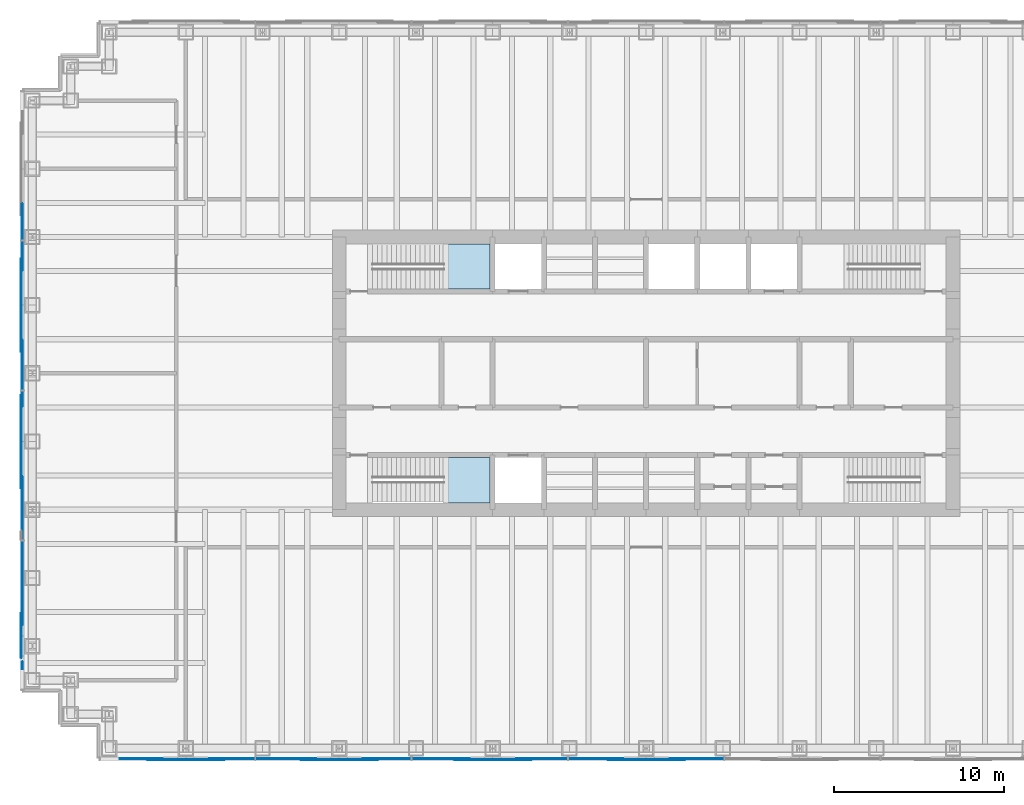
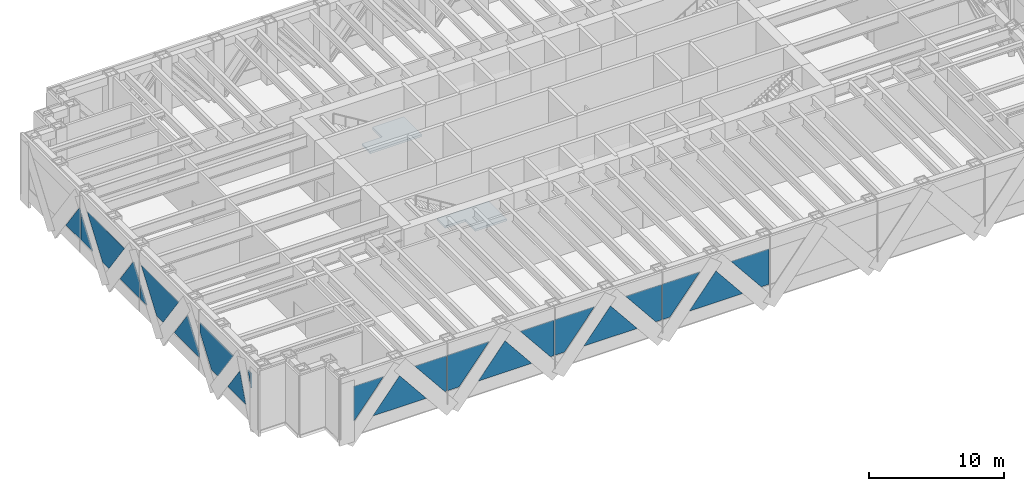
# One storey, part 9 of 17: 22 plates, 2 slabs, 4 elements without a shape of their own.
"""IFC4 building model written with IfcOpenShell, lengths in metres."""

from ifc_helpers import new_model, si_unit, direction, frame, origin, place, context, subcontext, project, spatial, polyline, outline, extrude, material, layer, layer_set, type_object, element, aggregate, save


model = new_model("IFC4")

# Units and contexts
model_context = context("Model", 3, precision=1e-05, world=origin(), true_north=direction((0.0, 1.0)))
body_context = subcontext(model_context, "Body", "Model", "MODEL_VIEW")
ifc_project = project(units=[si_unit("LENGTHUNIT", "METRE"), si_unit("AREAUNIT", "SQUARE_METRE"), si_unit("VOLUMEUNIT", "CUBIC_METRE"), si_unit("PLANEANGLEUNIT", "RADIAN"), si_unit("MASSUNIT", "GRAM", prefix="KILO")], contexts=[model_context])

# Site, building, storey
site_placement = place(None, origin())
site = spatial("IfcSite", under=ifc_project, at=site_placement, CompositionType="ELEMENT")
building_placement = place(site_placement, origin())
building = spatial("IfcBuilding", under=site, at=building_placement, Name="Rheinbord Bourse Tower", CompositionType="ELEMENT")
storey_placement = place(building_placement, frame((0.0, 0.0, 265.60009765625)))
storey = spatial("IfcBuildingStorey", under=building, at=storey_placement, Name="L60", CompositionType="ELEMENT", Elevation=265.60009765625)

# Curtain wall, plates
ifc_material_1 = material(Name="Dark glass and black aluminium", Category="aluminium")
curtain_wall_type = type_object("IfcCurtainWallType", Name="CW5 DARK GLASS CURTAIN WALL", PredefinedType="USERDEFINED", material=ifc_material_1)
curtain_wall_1_placement = place(storey_placement, origin())
curtain_wall_1 = element("IfcCurtainWall", 1, at=curtain_wall_1_placement, inside=storey, type_object=curtain_wall_type, Name="Curtain wall CW5 S L60", ObjectType="UNITISED CURTAIN WALL", PredefinedType="USERDEFINED")
ifc_material_2 = material(Name="Dark tinted triple insulating glass", Category="glass")
ifc_layer_1 = layer(ifc_material_2, 0.050048828125)
ifc_layer_set_1 = layer_set([ifc_layer_1], Name="CW5 DARK GLASS PANEL")
plate_type = type_object("IfcPlateType", Name="CW5 DARK GLASS PANEL", PredefinedType="CURTAIN_PANEL", material=ifc_layer_set_1)
plate_1_placement = place(storey_placement, frame((7.677001953125, 1.375, 4.349853515625), z_axis=(0.0, 1.0, 0.0), x_axis=(-0.627074346695, 0.0, -0.778959410828)))
plate_1 = element("IfcPlate", 2, at=plate_1_placement, type_object=plate_type, Name="CW5 glass facet 1", PredefinedType="CURTAIN_PANEL", context=body_context, shape_type="SweptSolid", body=[
    extrude(outline(polyline([(0.0, 0.0), (4.06201171875, 0.0), (1.59716796875, 1.984130859375), (0.0, 0.0)])), origin(), (0.0, 0.0, 1.0), 0.050048828125),
])
plate_2_placement = place(storey_placement, frame((6.717041015625, 1.31982421875, 1.14990234375), z_axis=(0.0, 1.0, 0.0), x_axis=(0.627071935426, 0.0, 0.778961351931)))
plate_2 = element("IfcPlate", 3, at=plate_2_placement, type_object=plate_type, Name="CW5 glass facet 2", PredefinedType="CURTAIN_PANEL", context=body_context, shape_type="SweptSolid", body=[
    extrude(outline(polyline([(0.0, 0.0), (3.640625, 0.0), (2.863037109375, 3.556640625), (0.0, 0.0)])), origin(), (0.0, 0.0, 1.0), 0.050048828125),
])
plate_3_placement = place(storey_placement, frame((13.031005859375, 1.375, 4.349853515625), z_axis=(0.0, 1.0, 0.0), x_axis=(0.0, 0.0, -1.0)))
plate_3 = element("IfcPlate", 4, at=plate_3_placement, type_object=plate_type, Name="CW5 glass facet 3", PredefinedType="CURTAIN_PANEL", context=body_context, shape_type="SweptSolid", body=[
    extrude(outline(polyline([(0.0, 0.0), (3.199951171875, 0.0), (3.199951171875, 0.132080078125), (0.0, 2.7080078125), (0.0, 0.0)])), origin(), (0.0, 0.0, 1.0), 0.050048828125),
])
plate_4_placement = place(storey_placement, frame((13.111083984375, 1.375, 1.14990234375), z_axis=(0.0, 1.0, 0.0), x_axis=(0.0, 0.0, 1.0)))
plate_4 = element("IfcPlate", 5, at=plate_4_placement, type_object=plate_type, Name="CW5 glass facet 1", PredefinedType="CURTAIN_PANEL", context=body_context, shape_type="SweptSolid", body=[
    extrude(outline(polyline([(0.0, 0.0), (3.199951171875, 0.0), (3.199951171875, 3.56591796875), (0.0, 0.989990234375), (0.0, 0.0)])), origin(), (0.0, 0.0, 1.0), 0.050048828125),
])
plate_5_placement = place(storey_placement, frame((15.717041015625, 1.31982421875, 1.14990234375), z_axis=(0.0, 1.0, 0.0), x_axis=(0.627071935426, 0.0, 0.778961351931)))
plate_5 = element("IfcPlate", 6, at=plate_5_placement, type_object=plate_type, Name="CW5 glass facet 2", PredefinedType="CURTAIN_PANEL", context=body_context, shape_type="SweptSolid", body=[
    extrude(outline(polyline([(0.0, 0.0), (3.640625, 0.0), (2.863037109375, 3.556640625), (0.0, 0.0)])), origin(), (0.0, 0.0, 1.0), 0.050048828125),
])
plate_6_placement = place(storey_placement, frame((22.202880859375, 1.375, 4.349853515625), z_axis=(0.0, 1.0, 0.0), x_axis=(0.0, 0.0, -1.0)))
plate_6 = element("IfcPlate", 7, at=plate_6_placement, type_object=plate_type, Name="CW5 glass facet 3", PredefinedType="CURTAIN_PANEL", context=body_context, shape_type="SweptSolid", body=[
    extrude(outline(polyline([(0.0, 0.0), (3.199951171875, 0.0), (3.199951171875, 0.303955078125), (0.0, 2.8798828125), (0.0, 0.0)])), origin(), (0.0, 0.0, 1.0), 0.050048828125),
])
plate_7_placement = place(storey_placement, frame((22.282958984375, 1.375, 1.14990234375), z_axis=(0.0, 1.0, 0.0), x_axis=(0.0, 0.0, 1.0)))
plate_7 = element("IfcPlate", 8, at=plate_7_placement, type_object=plate_type, Name="CW5 glass facet 1", PredefinedType="CURTAIN_PANEL", context=body_context, shape_type="SweptSolid", body=[
    extrude(outline(polyline([(0.0, 0.0), (3.199951171875, 0.0), (3.199951171875, 3.39404296875), (0.0, 0.818115234375), (0.0, 0.0)])), origin(), (0.0, 0.0, 1.0), 0.050048828125),
])
plate_8_placement = place(storey_placement, frame((24.717041015625, 1.31982421875, 1.14990234375), z_axis=(0.0, 1.0, 0.0), x_axis=(0.627071935426, 0.0, 0.778961351931)))
plate_8 = element("IfcPlate", 9, at=plate_8_placement, type_object=plate_type, Name="CW5 glass facet 2", PredefinedType="CURTAIN_PANEL", context=body_context, shape_type="SweptSolid", body=[
    extrude(outline(polyline([(0.0, 0.0), (3.640625, 0.0), (2.863037109375, 3.556640625), (0.0, 0.0)])), origin(), (0.0, 0.0, 1.0), 0.050048828125),
])
plate_9_placement = place(storey_placement, frame((31.3740234375, 1.375, 4.349853515625), z_axis=(0.0, 1.0, 0.0), x_axis=(0.0, 0.0, -1.0)))
plate_9 = element("IfcPlate", 10, at=plate_9_placement, type_object=plate_type, Name="CW5 glass facet 3", PredefinedType="CURTAIN_PANEL", context=body_context, shape_type="SweptSolid", body=[
    extrude(outline(polyline([(0.0, 0.0), (3.199951171875, 0.0), (3.199951171875, 0.47509765625), (0.0, 3.051025390625), (0.0, 0.0)])), origin(), (0.0, 0.0, 1.0), 0.050048828125),
])
plate_10_placement = place(storey_placement, frame((31.4541015625, 1.375, 1.14990234375), z_axis=(0.0, 1.0, 0.0), x_axis=(0.0, 0.0, 1.0)))
plate_10 = element("IfcPlate", 11, at=plate_10_placement, type_object=plate_type, Name="CW5 glass facet 1", PredefinedType="CURTAIN_PANEL", context=body_context, shape_type="SweptSolid", body=[
    extrude(outline(polyline([(0.0, 0.0), (3.199951171875, 0.0), (3.199951171875, 3.222900390625), (0.0, 0.64697265625), (0.0, 0.0)])), origin(), (0.0, 0.0, 1.0), 0.050048828125),
])
plate_11_placement = place(storey_placement, frame((33.717041015625, 1.31982421875, 1.14990234375), z_axis=(0.0, 1.0, 0.0), x_axis=(0.627071935426, 0.0, 0.778961351931)))
plate_11 = element("IfcPlate", 12, at=plate_11_placement, type_object=plate_type, Name="CW5 glass facet 2", PredefinedType="CURTAIN_PANEL", context=body_context, shape_type="SweptSolid", body=[
    extrude(outline(polyline([(0.0, 0.0), (3.640625, 0.0), (2.863037109375, 3.556640625), (0.0, 0.0)])), origin(), (0.0, 0.0, 1.0), 0.050048828125),
])
plate_12_placement = place(storey_placement, frame((40.5458984375, 1.375, 4.349853515625), z_axis=(0.0, 1.0, 0.0), x_axis=(0.0, 0.0, -1.0)))
plate_12 = element("IfcPlate", 13, at=plate_12_placement, type_object=plate_type, Name="CW5 glass facet 3", PredefinedType="CURTAIN_PANEL", context=body_context, shape_type="SweptSolid", body=[
    extrude(outline(polyline([(0.0, 0.0), (3.199951171875, 0.0), (3.199951171875, 0.64697265625), (0.0, 3.222900390625), (0.0, 0.0)])), origin(), (0.0, 0.0, 1.0), 0.050048828125),
])
aggregate(curtain_wall_1, [plate_1, plate_2, plate_3, plate_4, plate_5, plate_6, plate_7, plate_8, plate_9, plate_10, plate_11, plate_12])

curtain_wall_2_placement = place(storey_placement, origin())
curtain_wall_2 = element("IfcCurtainWall", 14, at=curtain_wall_2_placement, inside=storey, type_object=curtain_wall_type, Name="Curtain wall CW5 W L60", ObjectType="UNITISED CURTAIN WALL", PredefinedType="USERDEFINED")
plate_13_placement = place(storey_placement, frame((-0.625, 31.840087890625, 1.14990234375), z_axis=(1.0, 0.0, 0.0), x_axis=(0.0, 1.0, 0.0)))
plate_13 = element("IfcPlate", 15, at=plate_13_placement, type_object=plate_type, Name="CW5 glass facet 3", PredefinedType="CURTAIN_PANEL", context=body_context, shape_type="SweptSolid", body=[
    extrude(outline(polyline([(0.0, 0.0), (2.134033203125, 0.0), (0.159912109375, 2.758056640625), (0.0, 2.534912109375), (0.0, 0.0)])), origin(), (0.0, 0.0, 1.0), 0.050048828125),
])
plate_14_placement = place(storey_placement, frame((-0.625, 31.760009765625, 1.14990234375), z_axis=(1.0, 0.0, 0.0), x_axis=(0.0, 0.0, 1.0)))
plate_14 = element("IfcPlate", 16, at=plate_14_placement, type_object=plate_type, Name="CW5 glass facet 1", PredefinedType="CURTAIN_PANEL", context=body_context, shape_type="SweptSolid", body=[
    extrude(outline(polyline([(0.0, 0.0), (2.423095703125, 0.0), (0.0, 1.734130859375), (0.0, 0.0)])), origin(), (0.0, 0.0, 1.0), 0.050048828125),
])
plate_15_placement = place(storey_placement, frame((-0.68017578125, 28.47802734375, 1.14990234375), z_axis=(1.0, 0.0, 0.0), x_axis=(0.0, 0.581971584449, 0.813209121256)))
plate_15 = element("IfcPlate", 17, at=plate_15_placement, type_object=plate_type, Name="CW5 glass facet 2", PredefinedType="CURTAIN_PANEL", context=body_context, shape_type="SweptSolid", body=[
    extrude(outline(polyline([(0.0, 0.0), (3.93505859375, 0.0), (0.713134765625, 4.501953125), (-0.556396484375, 0.777587890625), (0.0, 0.0)])), origin(), (0.0, 0.0, 1.0), 0.050048828125),
])
plate_16_placement = place(storey_placement, frame((-0.625, 23.0400390625, 1.14990234375), z_axis=(1.0, 0.0, 0.0), x_axis=(0.0, 1.0, 0.0)))
plate_16 = element("IfcPlate", 18, at=plate_16_placement, type_object=plate_type, Name="CW5 glass facet 3", PredefinedType="CURTAIN_PANEL", context=body_context, shape_type="SweptSolid", body=[
    extrude(outline(polyline([(0.0, 0.0), (2.93408203125, 0.0), (0.9599609375, 2.758056640625), (0.0, 1.4169921875), (0.0, 0.0)])), origin(), (0.0, 0.0, 1.0), 0.050048828125),
])
plate_17_placement = place(storey_placement, frame((-0.625, 22.9599609375, 1.14990234375), z_axis=(1.0, 0.0, 0.0), x_axis=(0.0, 0.0, 1.0)))
plate_17 = element("IfcPlate", 19, at=plate_17_placement, type_object=plate_type, Name="CW5 glass facet 1", PredefinedType="CURTAIN_PANEL", context=body_context, shape_type="SweptSolid", body=[
    extrude(outline(polyline([(0.0, 0.0), (1.304931640625, 0.0), (0.0, 0.93408203125), (0.0, 0.0)])), origin(), (0.0, 0.0, 1.0), 0.050048828125),
])
plate_18_placement = place(storey_placement, frame((-0.68017578125, 20.47802734375, 1.14990234375), z_axis=(1.0, 0.0, 0.0), x_axis=(0.0, 0.581971584449, 0.813209121256)))
plate_18 = element("IfcPlate", 20, at=plate_18_placement, type_object=plate_type, Name="CW5 glass facet 2", PredefinedType="CURTAIN_PANEL", context=body_context, shape_type="SweptSolid", body=[
    extrude(outline(polyline([(0.0, 0.0), (3.93505859375, 0.0), (0.713134765625, 4.501953125), (-0.556396484375, 0.777587890625), (0.0, 0.0)])), origin(), (0.0, 0.0, 1.0), 0.050048828125),
])
plate_19_placement = place(storey_placement, frame((-0.625, 14.239990234375, 1.14990234375), z_axis=(1.0, 0.0, 0.0), x_axis=(0.0, 1.0, 0.0)))
plate_19 = element("IfcPlate", 21, at=plate_19_placement, type_object=plate_type, Name="CW5 glass facet 3", PredefinedType="CURTAIN_PANEL", context=body_context, shape_type="SweptSolid", body=[
    extrude(outline(polyline([(0.0, 0.0), (3.734130859375, 0.0), (1.760009765625, 2.758056640625), (0.0, 0.299072265625), (0.0, 0.0)])), origin(), (0.0, 0.0, 1.0), 0.050048828125),
])
plate_20_placement = place(storey_placement, frame((-0.625, 12.47802734375, 1.14990234375), z_axis=(1.0, 0.0, 0.0), x_axis=(0.0, 0.581981144966, 0.813202279205)))
plate_20 = element("IfcPlate", 22, at=plate_20_placement, type_object=plate_type, Name="CW5 glass facet 1", PredefinedType="CURTAIN_PANEL", context=body_context, shape_type="SweptSolid", body=[
    extrude(outline(polyline([(0.0, 0.0), (2.889892578125, 0.0), (3.5810546875, 0.49462890625), (0.713134765625, 4.501953125), (-0.556396484375, 0.777587890625), (0.0, 0.0)])), origin(), (0.0, 0.0, 1.0), 0.050048828125),
])
plate_21_placement = place(storey_placement, frame((-0.68017578125, 9.97412109375, 1.14990234375), z_axis=(1.0, 0.0, 0.0), x_axis=(0.0, -0.581930214908, 0.813238725699)))
plate_21 = element("IfcPlate", 23, at=plate_21_placement, type_object=plate_type, Name="CW5 glass facet 2", PredefinedType="CURTAIN_PANEL", context=body_context, shape_type="SweptSolid", body=[
    extrude(outline(polyline([(0.0, 0.0), (3.0693359375, 0.0), (1.55908203125, 2.1787109375), (0.0, 0.0)])), origin(), (0.0, 0.0, 1.0), 0.050048828125),
])
plate_22_placement = place(storey_placement, frame((-0.625, 6.6298828125, 4.349853515625), z_axis=(1.0, 0.0, 0.0), x_axis=(0.0, 0.0, -1.0)))
plate_22 = element("IfcPlate", 24, at=plate_22_placement, type_object=plate_type, Name="CW5 glass facet 3", PredefinedType="CURTAIN_PANEL", context=body_context, shape_type="SweptSolid", body=[
    extrude(outline(polyline([(0.0, 0.0), (1.322021484375, 0.0), (0.0, 0.47216796875), (0.0, 0.0)])), origin(), (0.0, 0.0, 1.0), 0.050048828125),
])
aggregate(curtain_wall_2, [plate_13, plate_14, plate_15, plate_16, plate_17, plate_18, plate_19, plate_20, plate_21, plate_22])

# Stair, slab
ifc_material_3 = material(Name="Concrete C30/37", Category="concrete")
stair_type = type_object("IfcStairType", Name="CORE STAIR HALF TURN 5500", PredefinedType="HALF_TURN_STAIR", material=ifc_material_3)
stair_1_placement = place(storey_placement, origin())
stair_1 = element("IfcStair", 25, at=stair_1_placement, inside=storey, type_object=stair_type, Name="Stair ST1 L60, type CS5", PredefinedType="HALF_TURN_STAIR")
ifc_material_4 = material(Name="Concrete C30/37", Category="concrete")
ifc_layer_2 = layer(ifc_material_4, 0.199951171875)
ifc_layer_set_2 = layer_set([ifc_layer_2], Name="STAIR LANDING 200")
slab_type = type_object("IfcSlabType", Name="STAIR LANDING 200", PredefinedType="LANDING", material=ifc_layer_set_2)
slab_1_placement = place(storey_placement, frame((0.0, 0.0, 2.5498046875)))
slab_1 = element("IfcSlab", 26, at=slab_1_placement, type_object=slab_type, Name="Half landing ST1 L60", PredefinedType="LANDING", context=body_context, shape_type="SweptSolid", body=[
    extrude(outline(polyline([(24.14990234375, 16.39990234375), (26.85009765625, 16.39990234375), (26.85009765625, 19.050048828125), (22.419921875, 19.050048828125), (22.419921875, 17.85009765625), (24.14990234375, 17.85009765625), (24.14990234375, 16.39990234375)])), origin(), (0.0, 0.0, 1.0), 0.2001953125),
])
aggregate(stair_1, [slab_1])

stair_2_placement = place(storey_placement, origin())
stair_2 = element("IfcStair", 27, at=stair_2_placement, inside=storey, type_object=stair_type, Name="Stair ST2 L60, type CS5", PredefinedType="HALF_TURN_STAIR")
slab_2_placement = place(storey_placement, frame((0.0, 0.0, 2.5498046875)))
slab_2 = element("IfcSlab", 28, at=slab_2_placement, type_object=slab_type, Name="Half landing ST2 L60", PredefinedType="LANDING", context=body_context, shape_type="SweptSolid", body=[
    extrude(outline(polyline([(22.419921875, 28.949951171875), (26.85009765625, 28.949951171875), (26.85009765625, 31.60009765625), (24.14990234375, 31.60009765625), (24.14990234375, 30.14990234375), (22.419921875, 30.14990234375), (22.419921875, 28.949951171875)])), origin(), (0.0, 0.0, 1.0), 0.2001953125),
])
aggregate(stair_2, [slab_2])

save(model, "model.ifc")
